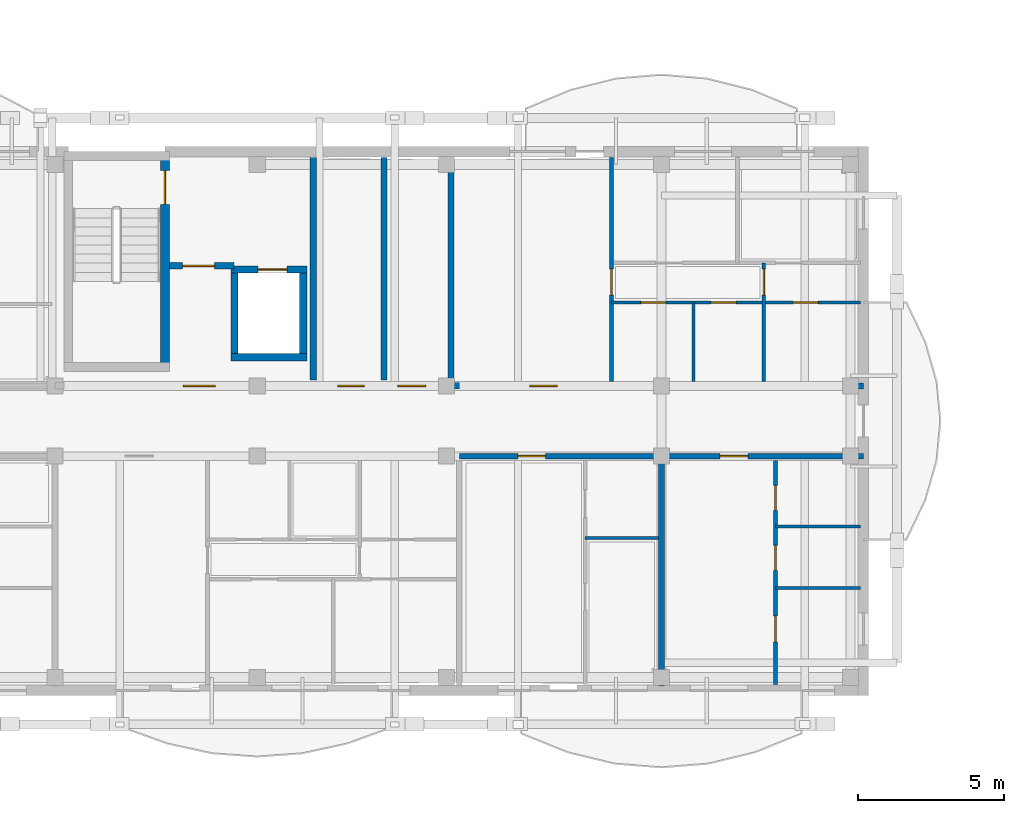
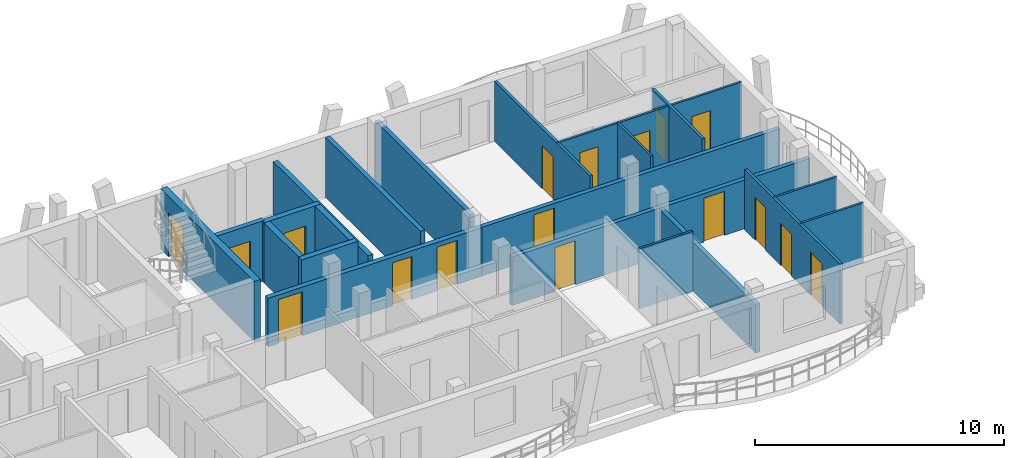
# One storey, part 20 of 50: 22 walls, 17 doors, 17 openings.
"""IFC4 building model written with IfcOpenShell, lengths in metres."""

import ifcopenshell
import ifcopenshell.guid

model = None  # the IFC model being written
_history = None  # IfcOwnerHistory: only IFC2X3 demands one
_inside = {}  # id of a spatial element -> (the spatial element, [elements in it])
_under = {}  # id of a project, library or spatial element -> (it, [spatial elements below it])
_declared = {}  # id of a project -> (the project, [libraries it declares])
_typed = {}  # id of a type object -> (the type object, [elements of that type])
_made_of = {}  # id of a material, layer set ... -> (it, [elements and type objects made of it])


def new_model(schema):
    """Start an empty IFC model of exactly this schema.

    Asked for "IFC4X3", IfcOpenShell would pick the latest addendum, in which some entities
    have other attributes; the version numbers below select the first issue.
    IFC2X3 requires an IfcOwnerHistory on every rooted entity: one is made here for all.
    """
    global model, _history
    if schema == "IFC4X3":
        model = ifcopenshell.file(schema_version=(4, 3, 0, 0))
    else:
        model = ifcopenshell.file(schema=schema)
    _inside.clear()
    _under.clear()
    _declared.clear()
    _typed.clear()
    _made_of.clear()
    _history = None
    if model.schema == "IFC2X3":
        org = make("IfcOrganization", Name="unknown")
        user = make(
            "IfcPersonAndOrganization",
            ThePerson=make("IfcPerson", FamilyName="unknown"),
            TheOrganization=org,
        )
        app = make(
            "IfcApplication",
            ApplicationDeveloper=org,
            Version="unknown",
            ApplicationFullName="unknown",
            ApplicationIdentifier="unknown",
        )
        _history = make(
            "IfcOwnerHistory",
            OwningUser=user,
            OwningApplication=app,
            ChangeAction="ADDED",
            CreationDate=0,
        )
    return model


def make(cls, **values):
    """One entity of the class cls with the attributes given. An attribute that is None is left unset."""
    return model.create_entity(
        cls, **{name: value for name, value in values.items() if value is not None}
    )


def rooted(cls, **values):
    """An entity with a GlobalId (a new one), such as an element, a storey or a relation."""
    return make(cls, GlobalId=ifcopenshell.guid.new(), OwnerHistory=_history, **values)


def si_unit(unit_type, name, prefix=None):
    """IfcSIUnit, for example si_unit("LENGTHUNIT", "METRE", prefix="MILLI")."""
    return make("IfcSIUnit", UnitType=unit_type, Prefix=prefix, Name=name)


def assignment(units):
    """IfcUnitAssignment: the units of a project."""
    return None if units is None else make("IfcUnitAssignment", Units=units)


def point(xyz):
    """IfcCartesianPoint."""
    return None if xyz is None else make("IfcCartesianPoint", Coordinates=xyz)


def direction(xyz):
    """IfcDirection."""
    return None if xyz is None else make("IfcDirection", DirectionRatios=xyz)


def frame(location, z_axis=None, x_axis=None):
    """IfcAxis2Placement3D, a coordinate frame: its origin and axes. An axis left out is left unset."""
    return make(
        "IfcAxis2Placement3D",
        Location=point(location),
        Axis=direction(z_axis),
        RefDirection=direction(x_axis),
    )


def frame_2d(location, x_axis=None):
    """IfcAxis2Placement2D, a coordinate frame in the plane: its origin and x axis."""
    return make(
        "IfcAxis2Placement2D", Location=point(location), RefDirection=direction(x_axis)
    )


def origin():
    """The frame at (0, 0, 0) with its axes left unset."""
    return frame((0.0, 0.0, 0.0))


def origin_with_axes():
    """The frame at (0, 0, 0) with the z axis (0, 0, 1) and the x axis (1, 0, 0) written out."""
    return frame((0.0, 0.0, 0.0), z_axis=(0.0, 0.0, 1.0), x_axis=(1.0, 0.0, 0.0))


def place(relative_to, where):
    """IfcLocalPlacement: puts the frame where relative to a parent placement (None: the world)."""
    return make(
        "IfcLocalPlacement", PlacementRelTo=relative_to, RelativePlacement=where
    )


def context(
    kind, dimensions, precision=None, world=None, true_north=None, identifier=None
):
    """IfcGeometricRepresentationContext, for example the 3D "Model" context."""
    return make(
        "IfcGeometricRepresentationContext",
        ContextIdentifier=identifier,
        ContextType=kind,
        CoordinateSpaceDimension=dimensions,
        Precision=precision,
        WorldCoordinateSystem=world,
        TrueNorth=true_north,
    )


def subcontext(parent, identifier, kind, view, scale=None):
    """IfcGeometricRepresentationSubContext, for example "Body" below "Model"."""
    return make(
        "IfcGeometricRepresentationSubContext",
        ContextIdentifier=identifier,
        ContextType=kind,
        ParentContext=parent,
        TargetScale=scale,
        TargetView=view,
    )


def project(units=None, contexts=None):
    """IfcProject with its units and contexts."""
    return rooted(
        "IfcProject",
        Name="project",
        RepresentationContexts=contexts,
        UnitsInContext=assignment(units),
    )


def spatial(cls, under=None, at=None, **own):
    """A site, building, storey or space (cls), placed at a placement, below another one or the project."""
    s = rooted(cls, ObjectPlacement=at, **own)
    if under is not None:
        _under.setdefault(under.id(), (under, []))[1].append(s)
    return s


def profile(cls, at=None, kind="AREA", **sizes):
    """A parametric profile (cls). Its sizes go by their IFC names, for example OverallWidth=200.0."""
    return make(cls, ProfileType=kind, Position=at, **sizes)


def rectangle(**sizes):
    """IfcRectangleProfileDef."""
    return profile("IfcRectangleProfileDef", **sizes)


def extrude(swept, where, along, depth):
    """IfcExtrudedAreaSolid: the profile swept, set in the frame where, extruded along a direction by depth."""
    return make(
        "IfcExtrudedAreaSolid",
        SweptArea=swept,
        Position=where,
        ExtrudedDirection=direction(along),
        Depth=depth,
    )


def shape(context_of_items, identifier, shape_type, items):
    """IfcShapeRepresentation: the items that make up one representation, for example the "Body"."""
    return make(
        "IfcShapeRepresentation",
        ContextOfItems=context_of_items,
        RepresentationIdentifier=identifier,
        RepresentationType=shape_type,
        Items=items,
    )


def material(Name=None, Category=None):
    """IfcMaterial."""
    return make("IfcMaterial", Name=Name, Category=Category)


def layer(
    of_material, thickness, ventilated=None, Name=None, Category=None, Priority=None
):
    """IfcMaterialLayer: one layer of a wall or slab, of a material (None: an air gap)."""
    return make(
        "IfcMaterialLayer",
        Material=of_material,
        LayerThickness=thickness,
        IsVentilated=ventilated,
        Name=Name,
        Category=Category,
        Priority=Priority,
    )


def layer_set(layers, Name=None):
    """IfcMaterialLayerSet."""
    return make("IfcMaterialLayerSet", MaterialLayers=layers, LayerSetName=Name)


def made_of(thing, what):
    """Note that an element or type object is made of a material, layer set ...; save() writes the relation."""
    if what is not None:
        _made_of.setdefault(what.id(), (what, []))[1].append(thing)
    return thing


def type_object(cls, material=None, **own):
    """A type object (cls), such as IfcWallType, which elements share."""
    return made_of(rooted(cls, **own), material)


def element(
    cls,
    number,
    at=None,
    inside=None,
    cuts=None,
    type_object=None,
    material=None,
    context=None,
    identifier="Body",
    shape_type=None,
    held_by="IfcProductDefinitionShape",
    body=None,
    shapes=None,
    **own,
):
    """One element of the class cls, such as IfcWall. Its Tag is "e" and its number.

    at: its placement. inside: the storey or other place that contains it. cuts: it is an
    opening in that element (IfcRelVoidsElement). A single representation is given by context,
    identifier, shape_type and body (its items); several are given by shapes. held_by: the class
    of the entity that holds the representations. save() writes the other relations.
    """
    e = rooted(cls, Tag="e%d" % number, ObjectPlacement=at, **own)
    if body is not None:
        shapes = [shape(context, identifier, shape_type, body)]
    if shapes is not None:
        e.Representation = make(held_by, Representations=shapes)
    if inside is not None:
        _inside.setdefault(inside.id(), (inside, []))[1].append(e)
    if cuts is not None:
        rooted(
            "IfcRelVoidsElement", RelatingBuildingElement=cuts, RelatedOpeningElement=e
        )
    if type_object is not None:
        _typed.setdefault(type_object.id(), (type_object, []))[1].append(e)
    return made_of(e, material)


def fill(opening, filler):
    """IfcRelFillsElement: the door or window that sits in an opening."""
    return rooted(
        "IfcRelFillsElement",
        RelatingOpeningElement=opening,
        RelatedBuildingElement=filler,
    )


def aggregate(whole, parts):
    """IfcRelAggregates: a whole, such as a stair, and the parts it consists of."""
    return rooted("IfcRelAggregates", RelatingObject=whole, RelatedObjects=parts)


def save(model, path):
    """Write the relations noted so far, then the file.

    IfcRelAggregates (storeys below a building ...), IfcRelContainedInSpatialStructure (elements
    in a storey), IfcRelDefinesByType, IfcRelAssociatesMaterial and IfcRelDeclares: one each for
    every whole, place, type object, material and project.
    """
    for whole, parts in _under.values():
        aggregate(whole, parts)
    for where, things in _inside.values():
        rooted(
            "IfcRelContainedInSpatialStructure",
            RelatedElements=things,
            RelatingStructure=where,
        )
    for kind, things in _typed.values():
        rooted("IfcRelDefinesByType", RelatedObjects=things, RelatingType=kind)
    for what, things in _made_of.values():
        rooted("IfcRelAssociatesMaterial", RelatedObjects=things, RelatingMaterial=what)
    for by, libraries in _declared.values():
        rooted("IfcRelDeclares", RelatingContext=by, RelatedDefinitions=libraries)
    model.write(path)


model = new_model("IFC4")

# Units and contexts
model_context = context("Model", 3, precision=1e-05, world=origin(), true_north=direction((0.0, 1.0)))
body_context = subcontext(model_context, "Body", "Model", "MODEL_VIEW")
ifc_project = project(units=[si_unit("LENGTHUNIT", "METRE"), si_unit("AREAUNIT", "SQUARE_METRE"), si_unit("VOLUMEUNIT", "CUBIC_METRE"), si_unit("PLANEANGLEUNIT", "RADIAN"), si_unit("MASSUNIT", "GRAM", prefix="KILO")], contexts=[model_context])

# Site, building, storey
site_placement = place(None, origin())
site = spatial("IfcSite", under=ifc_project, at=site_placement, CompositionType="ELEMENT")
building_placement = place(site_placement, origin())
building = spatial("IfcBuilding", under=site, at=building_placement, Name="Zavelmont Quarter", CompositionType="ELEMENT")
storey_placement = place(building_placement, frame((0.0, 0.0, 11.199951171875)))
storey = spatial("IfcBuildingStorey", under=building, at=storey_placement, Name="L03", CompositionType="ELEMENT", Elevation=11.199951171875)

# Walls
ifc_material_1 = material(Name="Calcium-silicate blockwork and acoustic plaster", Category="masonry")
ifc_layer_1 = layer(ifc_material_1, 0.199951171875)
ifc_layer_set_1 = layer_set([ifc_layer_1], Name="Calcium-silicate blockwork and acoustic plaster")
wall_type_1 = type_object("IfcWallType", Name="IW01", PredefinedType="PARTITIONING", material=ifc_layer_set_1)
for number, where, z_axis, x_axis, name in (
    (1, (38.824951171875, 10.60009765625, 0.0), (0.0, 0.0, 1.0), (0.0, 1.0, 0.0), "L03 Service riser divider wall IW01"),
    (2, (41.1201171875, 10.60009765625, 0.0), (0.0, 0.0, 1.0), (0.0, 1.0, 0.0), "L03 Core service end wall IW01"),
):
    element("IfcWall", number, at=place(storey_placement, frame(where, z_axis=z_axis, x_axis=x_axis)), inside=storey, type_object=wall_type_1, Name=name, PredefinedType="PARTITIONING", context=body_context, shape_type="SweptSolid", body=[
        extrude(rectangle(XDim=7.599853515625, YDim=0.199951171875, at=frame_2d((3.7998046875, 0.0))), origin(), (0.0, 0.0, 1.0), 2.93994140625),
    ])
wall_1_placement = place(storey_placement, frame((48.300048828125, 7.85009765625, 0.0), z_axis=(0.0, 0.0, 1.0), x_axis=(0.0, -1.0, 0.0)))
element("IfcWall", 3, at=wall_1_placement, inside=storey, type_object=wall_type_1, Name="L03 Inter-dwelling compartment wall IW01", PredefinedType="PARTITIONING", context=body_context, shape_type="SweptSolid", body=[
    extrude(rectangle(XDim=7.7001953125, YDim=0.199951171875, at=frame_2d((3.85009765625, 0.0))), origin(), (0.0, 0.0, 1.0), 2.380126953125),
])

# Wall, opening, door
wall_2_placement = place(storey_placement, frame((41.39990234375, 8.0, 0.0), z_axis=(0.0, 0.0, 1.0), x_axis=(1.0, 0.0, 0.0)))
wall_2 = element("IfcWall", 4, at=wall_2_placement, inside=storey, type_object=wall_type_1, Name="L03 Corridor compartment wall IW01", PredefinedType="PARTITIONING", context=body_context, shape_type="SweptSolid", body=[
    extrude(rectangle(XDim=6.900146484375, YDim=0.199951171875, at=frame_2d((3.4501953125, 0.0))), origin(), (0.0, 0.0, 1.0), 2.380126953125),
])
opening_1_placement = place(wall_2_placement, frame((2.0, 0.0, 0.0)))
opening_1 = element("IfcOpeningElement", 5, at=opening_1_placement, cuts=wall_2, Name="Opening DR02", PredefinedType="OPENING", context=body_context, shape_type="SweptSolid", body=[
    extrude(rectangle(XDim=0.949951171875, YDim=2.14990234375, at=frame_2d((0.47509765625, 1.074951171875))), frame((0.0, 0.11181640625, 0.0), z_axis=(0.0, -1.0, 0.0), x_axis=(1.0, 0.0, 0.0)), (0.0, 0.0, 1.0), 0.223876953125),
])
ifc_material_2 = material(Name="Solid-core oak fire leaf in steel frame", Category="steel")
door_type_1 = type_object("IfcDoorType", Name="DR02", OperationType="NOTDEFINED", PredefinedType="DOOR", material=ifc_material_2)
door_1_placement = place(opening_1_placement, frame((0.949951171875, 0.0, 0.0), z_axis=(0.0, 0.0, 1.0), x_axis=(-1.0, 0.0, 0.0)))
door_1 = element("IfcDoor", 6, at=door_1_placement, inside=storey, type_object=door_type_1, Name="L03 door DR02", OperationType="SINGLE_SWING_LEFT", OverallHeight=2.14990234375, OverallWidth=0.949951171875, PredefinedType="DOOR", context=body_context, shape_type="SweptSolid", body=[
    extrude(rectangle(XDim=0.949951171875, YDim=2.14990234375, at=frame_2d((0.47509765625, 1.074951171875))), frame((0.0, 0.02490234375, 0.0), z_axis=(0.0, -1.0, 0.0), x_axis=(1.0, 0.0, 0.0)), (0.0, 0.0, 1.0), 0.050048828125),
])
fill(opening_1, door_1)

wall_3_placement = place(storey_placement, frame((48.300048828125, 8.0, 0.0), z_axis=(0.0, 0.0, 1.0), x_axis=(1.0, 0.0, 0.0)))
wall_3 = element("IfcWall", 7, at=wall_3_placement, inside=storey, type_object=wall_type_1, Name="L03 Corridor compartment wall IW01", PredefinedType="PARTITIONING", context=body_context, shape_type="SweptSolid", body=[
    extrude(rectangle(XDim=6.89990234375, YDim=0.199951171875, at=frame_2d((3.449951171875, 0.0))), origin(), (0.0, 0.0, 1.0), 2.380126953125),
])
opening_2_placement = place(wall_3_placement, frame((2.0, 0.0, 0.0)))
opening_2 = element("IfcOpeningElement", 8, at=opening_2_placement, cuts=wall_3, Name="Opening DR02", PredefinedType="OPENING", context=body_context, shape_type="SweptSolid", body=[
    extrude(rectangle(XDim=0.949951171875, YDim=2.14990234375, at=frame_2d((0.47509765625, 1.074951171875))), frame((0.0, 0.11181640625, 0.0), z_axis=(0.0, -1.0, 0.0), x_axis=(1.0, 0.0, 0.0)), (0.0, 0.0, 1.0), 0.223876953125),
])
door_2_placement = place(opening_2_placement, frame((0.949951171875, 0.0, 0.0), z_axis=(0.0, 0.0, 1.0), x_axis=(-1.0, 0.0, 0.0)))
door_2 = element("IfcDoor", 9, at=door_2_placement, inside=storey, type_object=door_type_1, Name="L03 door DR02", OperationType="SINGLE_SWING_LEFT", OverallHeight=2.14990234375, OverallWidth=0.949951171875, PredefinedType="DOOR", context=body_context, shape_type="SweptSolid", body=[
    extrude(rectangle(XDim=0.949951171875, YDim=2.14990234375, at=frame_2d((0.47509765625, 1.074951171875))), frame((0.0, 0.02490234375, 0.0), z_axis=(0.0, -1.0, 0.0), x_axis=(1.0, 0.0, 0.0)), (0.0, 0.0, 1.0), 0.050048828125),
])
fill(opening_2, door_2)

wall_4_placement = place(storey_placement, frame((41.39990234375, 10.39990234375, 0.0), z_axis=(0.0, 0.0, 1.0), x_axis=(1.0, 0.0, 0.0)))
wall_4 = element("IfcWall", 10, at=wall_4_placement, inside=storey, type_object=wall_type_1, Name="L03 Corridor compartment wall IW01", PredefinedType="PARTITIONING", context=body_context, shape_type="SweptSolid", body=[
    extrude(rectangle(XDim=13.800048828125, YDim=0.199951171875, at=frame_2d((6.89990234375, 0.0))), origin(), (0.0, 0.0, 1.0), 2.380126953125),
])
opening_3_placement = place(wall_4_placement, frame((2.39990234375, 0.0, 0.0)))
opening_3 = element("IfcOpeningElement", 11, at=opening_3_placement, cuts=wall_4, Name="Opening DR02", PredefinedType="OPENING", context=body_context, shape_type="SweptSolid", body=[
    extrude(rectangle(XDim=0.949951171875, YDim=2.14990234375, at=frame_2d((0.47509765625, 1.074951171875))), frame((0.0, 0.11181640625, 0.0), z_axis=(0.0, -1.0, 0.0), x_axis=(1.0, 0.0, 0.0)), (0.0, 0.0, 1.0), 0.223876953125),
])
door_3_placement = place(opening_3_placement, origin_with_axes())
door_3 = element("IfcDoor", 12, at=door_3_placement, inside=storey, type_object=door_type_1, Name="L03 door DR02", OperationType="SINGLE_SWING_RIGHT", OverallHeight=2.14990234375, OverallWidth=0.949951171875, PredefinedType="DOOR", context=body_context, shape_type="SweptSolid", body=[
    extrude(rectangle(XDim=0.949951171875, YDim=2.14990234375, at=frame_2d((0.47509765625, 1.074951171875))), frame((0.0, 0.02490234375, 0.0), z_axis=(0.0, -1.0, 0.0), x_axis=(1.0, 0.0, 0.0)), (0.0, 0.0, 1.0), 0.050048828125),
])
fill(opening_3, door_3)

# Wall
ifc_material_3 = material(Name="Reinforced masonry fire compartment wall", Category="masonry")
ifc_layer_2 = layer(ifc_material_3, 0.22509765625)
ifc_layer_set_2 = layer_set([ifc_layer_2], Name="Reinforced masonry fire compartment wall")
wall_type_2 = type_object("IfcWallType", Name="IW02", PredefinedType="PARTITIONING", material=ifc_layer_set_2)
wall_5_placement = place(storey_placement, frame((36.409912109375, 10.60009765625, 0.0), z_axis=(0.0, 0.0, 1.0), x_axis=(0.0, 1.0, 0.0)))
element("IfcWall", 13, at=wall_5_placement, inside=storey, type_object=wall_type_2, Name="L03 Firefighting lobby enclosure wall IW02", PredefinedType="PARTITIONING", context=body_context, shape_type="SweptSolid", body=[
    extrude(rectangle(XDim=7.599853515625, YDim=0.22509765625, at=frame_2d((3.7998046875, 0.0))), origin(), (0.0, 0.0, 1.0), 2.590087890625),
])

# Wall, opening, door
wall_6_placement = place(storey_placement, frame((31.5, 14.5, 0.0), z_axis=(0.0, 0.0, 1.0), x_axis=(1.0, 0.0, 0.0)))
wall_6 = element("IfcWall", 14, at=wall_6_placement, inside=storey, type_object=wall_type_2, Name="L03 Firefighting lobby threshold wall IW02", PredefinedType="PARTITIONING", context=body_context, shape_type="SweptSolid", body=[
    extrude(rectangle(XDim=2.199951171875, YDim=0.22509765625, at=frame_2d((1.10009765625, 0.0))), origin(), (0.0, 0.0, 1.0), 2.93994140625),
])
opening_4_placement = place(wall_6_placement, frame((0.449951171875, 0.0, 0.0)))
opening_4 = element("IfcOpeningElement", 15, at=opening_4_placement, cuts=wall_6, Name="Opening DR10", PredefinedType="OPENING", context=body_context, shape_type="SweptSolid", body=[
    extrude(rectangle(XDim=1.10009765625, YDim=2.14990234375, at=frame_2d((0.550048828125, 1.074951171875))), frame((0.0, 0.12451171875, 0.0), z_axis=(0.0, -1.0, 0.0), x_axis=(1.0, 0.0, 0.0)), (0.0, 0.0, 1.0), 0.2490234375),
])
ifc_material_4 = material(Name="Painted steel lobby fire door", Category="steel")
door_type_2 = type_object("IfcDoorType", Name="DR10", OperationType="NOTDEFINED", PredefinedType="DOOR", material=ifc_material_4)
door_4_placement = place(opening_4_placement, origin_with_axes())
door_4 = element("IfcDoor", 16, at=door_4_placement, inside=storey, type_object=door_type_2, Name="Firefighting lobby fire door", OperationType="SINGLE_SWING_RIGHT", OverallHeight=2.14990234375, OverallWidth=1.10009765625, PredefinedType="DOOR", context=body_context, shape_type="SweptSolid", body=[
    extrude(rectangle(XDim=1.10009765625, YDim=2.14990234375, at=frame_2d((0.550048828125, 1.074951171875))), frame((0.0, 0.02490234375, 0.0), z_axis=(0.0, -1.0, 0.0), x_axis=(1.0, 0.0, 0.0)), (0.0, 0.0, 1.0), 0.050048828125),
])
fill(opening_4, door_4)

# Wall, openings, doors
wall_7_placement = place(storey_placement, frame((31.5, 10.39990234375, 0.0), z_axis=(0.0, 0.0, 1.0), x_axis=(1.0, 0.0, 0.0)))
wall_7 = element("IfcWall", 17, at=wall_7_placement, inside=storey, type_object=wall_type_2, Name="L03 Core corridor fire wall IW02", PredefinedType="PARTITIONING", context=body_context, shape_type="SweptSolid", body=[
    extrude(rectangle(XDim=9.89990234375, YDim=0.22509765625, at=frame_2d((4.949951171875, 0.0))), origin(), (0.0, 0.0, 1.0), 2.380126953125),
])
opening_5_placement = place(wall_7_placement, frame((0.47509765625, 0.0, 0.0)))
opening_5 = element("IfcOpeningElement", 18, at=opening_5_placement, cuts=wall_7, Name="Opening DR10", PredefinedType="OPENING", context=body_context, shape_type="SweptSolid", body=[
    extrude(rectangle(XDim=1.10009765625, YDim=2.14990234375, at=frame_2d((0.550048828125, 1.074951171875))), frame((0.0, 0.12451171875, 0.0), z_axis=(0.0, -1.0, 0.0), x_axis=(1.0, 0.0, 0.0)), (0.0, 0.0, 1.0), 0.2490234375),
])
opening_6_placement = place(wall_7_placement, frame((5.75, 0.0, 0.0)))
opening_6 = element("IfcOpeningElement", 19, at=opening_6_placement, cuts=wall_7, Name="Opening DR11", PredefinedType="OPENING", context=body_context, shape_type="SweptSolid", body=[
    extrude(rectangle(XDim=0.89990234375, YDim=2.10009765625, at=frame_2d((0.449951171875, 1.050048828125))), frame((0.0, 0.12451171875, 0.0), z_axis=(0.0, -1.0, 0.0), x_axis=(1.0, 0.0, 0.0)), (0.0, 0.0, 1.0), 0.2490234375),
])
opening_7_placement = place(wall_7_placement, frame((7.800048828125, 0.0, 0.0)))
opening_7 = element("IfcOpeningElement", 20, at=opening_7_placement, cuts=wall_7, Name="Opening DR02", PredefinedType="OPENING", context=body_context, shape_type="SweptSolid", body=[
    extrude(rectangle(XDim=0.949951171875, YDim=2.14990234375, at=frame_2d((0.47509765625, 1.074951171875))), frame((0.0, 0.12451171875, 0.0), z_axis=(0.0, -1.0, 0.0), x_axis=(1.0, 0.0, 0.0)), (0.0, 0.0, 1.0), 0.2490234375),
])
door_5_placement = place(opening_7_placement, frame((0.949951171875, 0.0, 0.0), z_axis=(0.0, 0.0, 1.0), x_axis=(-1.0, 0.0, 0.0)))
door_5 = element("IfcDoor", 21, at=door_5_placement, inside=storey, type_object=door_type_1, Name="Auxiliary store corridor door", OperationType="SINGLE_SWING_RIGHT", OverallHeight=2.14990234375, OverallWidth=0.949951171875, PredefinedType="DOOR", context=body_context, shape_type="SweptSolid", body=[
    extrude(rectangle(XDim=0.949951171875, YDim=2.14990234375, at=frame_2d((0.47509765625, 1.074951171875))), frame((0.0, 0.02490234375, 0.0), z_axis=(0.0, -1.0, 0.0), x_axis=(1.0, 0.0, 0.0)), (0.0, 0.0, 1.0), 0.050048828125),
])
fill(opening_7, door_5)
door_6_placement = place(opening_5_placement, origin_with_axes())
door_6 = element("IfcDoor", 22, at=door_6_placement, inside=storey, type_object=door_type_2, Name="Core vestibule fire door", OperationType="SINGLE_SWING_LEFT", OverallHeight=2.14990234375, OverallWidth=1.10009765625, PredefinedType="DOOR", context=body_context, shape_type="SweptSolid", body=[
    extrude(rectangle(XDim=1.10009765625, YDim=2.14990234375, at=frame_2d((0.550048828125, 1.074951171875))), frame((0.0, 0.02490234375, 0.0), z_axis=(0.0, -1.0, 0.0), x_axis=(1.0, 0.0, 0.0)), (0.0, 0.0, 1.0), 0.050048828125),
])
fill(opening_5, door_6)
ifc_material_5 = material(Name="Painted steel service-riser fire door", Category="steel")
door_type_3 = type_object("IfcDoorType", Name="DR11", OperationType="NOTDEFINED", PredefinedType="DOOR", material=ifc_material_5)
door_7_placement = place(opening_6_placement, frame((0.89990234375, 0.0, 0.0), z_axis=(0.0, 0.0, 1.0), x_axis=(-1.0, 0.0, 0.0)))
door_7 = element("IfcDoor", 23, at=door_7_placement, inside=storey, type_object=door_type_3, Name="Service riser fire door", OperationType="SINGLE_SWING_LEFT", OverallHeight=2.10009765625, OverallWidth=0.89990234375, PredefinedType="DOOR", context=body_context, shape_type="SweptSolid", body=[
    extrude(rectangle(XDim=0.89990234375, YDim=2.10009765625, at=frame_2d((0.449951171875, 1.050048828125))), frame((0.0, 0.02490234375, 0.0), z_axis=(0.0, -1.0, 0.0), x_axis=(1.0, 0.0, 0.0)), (0.0, 0.0, 1.0), 0.050048828125),
])
fill(opening_6, door_7)

ifc_material_6 = material(Name="Double gypsum board on acoustic steel stud", Category="steel")
ifc_layer_3 = layer(ifc_material_6, 0.125)
ifc_layer_set_3 = layer_set([ifc_layer_3], Name="Double gypsum board on acoustic steel stud")
wall_type_3 = type_object("IfcWallType", Name="IW03", PredefinedType="PARTITIONING", material=ifc_layer_set_3)
wall_8_placement = place(storey_placement, frame((52.199951171875, 7.85009765625, 0.0), z_axis=(0.0, 0.0, 1.0), x_axis=(0.0, -1.0, 0.0)))
wall_8 = element("IfcWall", 24, at=wall_8_placement, inside=storey, type_object=wall_type_3, Name="L03 Partition IW03", PredefinedType="PARTITIONING", context=body_context, shape_type="SweptSolid", body=[
    extrude(rectangle(XDim=7.650146484375, YDim=0.125, at=frame_2d((3.8251953125, 0.0))), origin(), (0.0, 0.0, 1.0), 2.93994140625),
])
opening_8_placement = place(wall_8_placement, frame((0.85009765625, 0.0, 0.0)))
opening_8 = element("IfcOpeningElement", 25, at=opening_8_placement, cuts=wall_8, Name="Opening DR16", PredefinedType="OPENING", context=body_context, shape_type="SweptSolid", body=[
    extrude(rectangle(XDim=0.85009765625, YDim=2.10009765625, at=frame_2d((0.425048828125, 1.050048828125))), frame((0.0, 0.074462890625, 0.0), z_axis=(0.0, -1.0, 0.0), x_axis=(1.0, 0.0, 0.0)), (0.0, 0.0, 1.0), 0.14892578125),
])
opening_9_placement = place(wall_8_placement, frame((2.89990234375, 0.0, 0.0)))
opening_9 = element("IfcOpeningElement", 26, at=opening_9_placement, cuts=wall_8, Name="Opening DR06", PredefinedType="OPENING", context=body_context, shape_type="SweptSolid", body=[
    extrude(rectangle(XDim=0.85009765625, YDim=2.050048828125, at=frame_2d((0.425048828125, 1.02490234375))), frame((0.0, 0.074462890625, 0.0), z_axis=(0.0, -1.0, 0.0), x_axis=(1.0, 0.0, 0.0)), (0.0, 0.0, 1.0), 0.14892578125),
])
opening_10_placement = place(wall_8_placement, frame((5.300048828125, 0.0, 0.0)))
opening_10 = element("IfcOpeningElement", 27, at=opening_10_placement, cuts=wall_8, Name="Opening DR05", PredefinedType="OPENING", context=body_context, shape_type="SweptSolid", body=[
    extrude(rectangle(XDim=0.89990234375, YDim=2.10009765625, at=frame_2d((0.449951171875, 1.050048828125))), frame((0.0, 0.074462890625, 0.0), z_axis=(0.0, -1.0, 0.0), x_axis=(1.0, 0.0, 0.0)), (0.0, 0.0, 1.0), 0.14892578125),
])
ifc_material_7 = material(Name="Engineered oak flush interior door")
door_type_4 = type_object("IfcDoorType", Name="DR05", OperationType="NOTDEFINED", PredefinedType="DOOR", material=ifc_material_7)
door_8_placement = place(opening_10_placement, origin_with_axes())
door_8 = element("IfcDoor", 28, at=door_8_placement, inside=storey, type_object=door_type_4, Name="L03 door DR05", OperationType="SINGLE_SWING_LEFT", OverallHeight=2.10009765625, OverallWidth=0.89990234375, PredefinedType="DOOR", context=body_context, shape_type="SweptSolid", body=[
    extrude(rectangle(XDim=0.89990234375, YDim=2.10009765625, at=frame_2d((0.449951171875, 1.050048828125))), frame((0.0, 0.02490234375, 0.0), z_axis=(0.0, -1.0, 0.0), x_axis=(1.0, 0.0, 0.0)), (0.0, 0.0, 1.0), 0.050048828125),
])
fill(opening_10, door_8)
ifc_material_8 = material(Name="Moisture-resistant painted wet-room door")
door_type_5 = type_object("IfcDoorType", Name="DR06", OperationType="NOTDEFINED", PredefinedType="DOOR", material=ifc_material_8)
door_9_placement = place(opening_9_placement, frame((0.85009765625, 0.0, 0.0), z_axis=(0.0, 0.0, 1.0), x_axis=(-1.0, 0.0, 0.0)))
door_9 = element("IfcDoor", 29, at=door_9_placement, inside=storey, type_object=door_type_5, Name="L03 door DR06", OperationType="SINGLE_SWING_RIGHT", OverallHeight=2.050048828125, OverallWidth=0.85009765625, PredefinedType="DOOR", context=body_context, shape_type="SweptSolid", body=[
    extrude(rectangle(XDim=0.85009765625, YDim=2.050048828125, at=frame_2d((0.425048828125, 1.02490234375))), frame((0.0, 0.02490234375, 0.0), z_axis=(0.0, -1.0, 0.0), x_axis=(1.0, 0.0, 0.0)), (0.0, 0.0, 1.0), 0.050048828125),
])
fill(opening_9, door_9)
door_type_6 = type_object("IfcDoorType", Name="DR16", OperationType="NOTDEFINED", PredefinedType="DOOR", material=ifc_material_7)
door_10_placement = place(opening_8_placement, origin_with_axes())
door_10 = element("IfcDoor", 30, at=door_10_placement, inside=storey, type_object=door_type_6, Name="L03 door DR16", OperationType="SINGLE_SWING_LEFT", OverallHeight=2.10009765625, OverallWidth=0.85009765625, PredefinedType="DOOR", context=body_context, shape_type="SweptSolid", body=[
    extrude(rectangle(XDim=0.85009765625, YDim=2.10009765625, at=frame_2d((0.425048828125, 1.050048828125))), frame((0.0, 0.02490234375, 0.0), z_axis=(0.0, -1.0, 0.0), x_axis=(1.0, 0.0, 0.0)), (0.0, 0.0, 1.0), 0.050048828125),
])
fill(opening_8, door_10)

# Wall, opening, door
wall_9_placement = place(storey_placement, frame((46.60009765625, 10.550048828125, 0.0), z_axis=(0.0, 0.0, 1.0), x_axis=(0.0, 1.0, 0.0)))
wall_9 = element("IfcWall", 31, at=wall_9_placement, inside=storey, type_object=wall_type_3, Name="L03 Partition IW03", PredefinedType="PARTITIONING", context=body_context, shape_type="SweptSolid", body=[
    extrude(rectangle(XDim=7.64990234375, YDim=0.125, at=frame_2d((3.824951171875, 0.0))), origin(), (0.0, 0.0, 1.0), 2.93994140625),
])
opening_11_placement = place(wall_9_placement, frame((2.949951171875, 0.0, 0.0)))
opening_11 = element("IfcOpeningElement", 32, at=opening_11_placement, cuts=wall_9, Name="Opening DR05", PredefinedType="OPENING", context=body_context, shape_type="SweptSolid", body=[
    extrude(rectangle(XDim=0.89990234375, YDim=2.10009765625, at=frame_2d((0.449951171875, 1.050048828125))), frame((0.0, 0.074462890625, 0.0), z_axis=(0.0, -1.0, 0.0), x_axis=(1.0, 0.0, 0.0)), (0.0, 0.0, 1.0), 0.14892578125),
])
door_11_placement = place(opening_11_placement, frame((0.89990234375, 0.0, 0.0), z_axis=(0.0, 0.0, 1.0), x_axis=(-1.0, 0.0, 0.0)))
door_11 = element("IfcDoor", 33, at=door_11_placement, inside=storey, type_object=door_type_4, Name="L03 door DR05", OperationType="SINGLE_SWING_RIGHT", OverallHeight=2.10009765625, OverallWidth=0.89990234375, PredefinedType="DOOR", context=body_context, shape_type="SweptSolid", body=[
    extrude(rectangle(XDim=0.89990234375, YDim=2.10009765625, at=frame_2d((0.449951171875, 1.050048828125))), frame((0.0, 0.02490234375, 0.0), z_axis=(0.0, -1.0, 0.0), x_axis=(1.0, 0.0, 0.0)), (0.0, 0.0, 1.0), 0.050048828125),
])
fill(opening_11, door_11)

wall_10_placement = place(storey_placement, frame((51.800048828125, 10.550048828125, 0.0), z_axis=(0.0, 0.0, 1.0), x_axis=(0.0, 1.0, 0.0)))
wall_10 = element("IfcWall", 34, at=wall_10_placement, inside=storey, type_object=wall_type_3, Name="L03 Partition IW03", PredefinedType="PARTITIONING", context=body_context, shape_type="SweptSolid", body=[
    extrude(rectangle(XDim=4.050048828125, YDim=0.125, at=frame_2d((2.02490234375, 0.0))), origin(), (0.0, 0.0, 1.0), 2.93994140625),
])
opening_12_placement = place(wall_10_placement, frame((2.949951171875, 0.0, 0.0)))
opening_12 = element("IfcOpeningElement", 35, at=opening_12_placement, cuts=wall_10, Name="Opening DR05", PredefinedType="OPENING", context=body_context, shape_type="SweptSolid", body=[
    extrude(rectangle(XDim=0.89990234375, YDim=2.10009765625, at=frame_2d((0.449951171875, 1.050048828125))), frame((0.0, 0.074462890625, 0.0), z_axis=(0.0, -1.0, 0.0), x_axis=(1.0, 0.0, 0.0)), (0.0, 0.0, 1.0), 0.14892578125),
])
door_12_placement = place(opening_12_placement, origin_with_axes())
door_12 = element("IfcDoor", 36, at=door_12_placement, inside=storey, type_object=door_type_4, Name="L03 door DR05", OperationType="SINGLE_SWING_LEFT", OverallHeight=2.10009765625, OverallWidth=0.89990234375, PredefinedType="DOOR", context=body_context, shape_type="SweptSolid", body=[
    extrude(rectangle(XDim=0.89990234375, YDim=2.10009765625, at=frame_2d((0.449951171875, 1.050048828125))), frame((0.0, 0.02490234375, 0.0), z_axis=(0.0, -1.0, 0.0), x_axis=(1.0, 0.0, 0.0)), (0.0, 0.0, 1.0), 0.050048828125),
])
fill(opening_12, door_12)

# Walls
ifc_material_9 = material(Name="Moisture-resistant gypsum board on steel stud", Category="steel")
ifc_layer_4 = layer(ifc_material_9, 0.10009765625)
ifc_layer_set_4 = layer_set([ifc_layer_4], Name="Moisture-resistant gypsum board on steel stud")
wall_type_4 = type_object("IfcWallType", Name="IW04", PredefinedType="PARTITIONING", material=ifc_layer_set_4)
wall_11_placement = place(storey_placement, frame((45.699951171875, 5.199951171875, 0.0), z_axis=(0.0, 0.0, 1.0), x_axis=(1.0, 0.0, 0.0)))
element("IfcWall", 37, at=wall_11_placement, inside=storey, type_object=wall_type_4, Name="L03 Partition IW04", PredefinedType="PARTITIONING", context=body_context, shape_type="SweptSolid", body=[
    extrude(rectangle(XDim=2.5, YDim=0.10009765625, at=frame_2d((1.25, 0.0))), origin(), (0.0, 0.0, 1.0), 2.93994140625),
])
for number, where, z_axis, x_axis, name in (
    (38, (52.199951171875, 5.60009765625, 0.0), (0.0, 0.0, 1.0), (1.0, 0.0, 0.0), "L03 Partition IW04"),
    (39, (52.199951171875, 3.5, 0.0), (0.0, 0.0, 1.0), (1.0, 0.0, 0.0), "L03 Partition IW04"),
):
    element("IfcWall", number, at=place(storey_placement, frame(where, z_axis=z_axis, x_axis=x_axis)), inside=storey, type_object=wall_type_4, Name=name, PredefinedType="PARTITIONING", context=body_context, shape_type="SweptSolid", body=[
        extrude(rectangle(XDim=2.900146484375, YDim=0.10009765625, at=frame_2d((1.4501953125, 0.0))), origin(), (0.0, 0.0, 1.0), 2.93994140625),
    ])
wall_12_placement = place(storey_placement, frame((49.39990234375, 10.550048828125, 0.0), z_axis=(0.0, 0.0, 1.0), x_axis=(0.0, 1.0, 0.0)))
element("IfcWall", 40, at=wall_12_placement, inside=storey, type_object=wall_type_4, Name="L03 Partition IW04", PredefinedType="PARTITIONING", context=body_context, shape_type="SweptSolid", body=[
    extrude(rectangle(XDim=2.699951171875, YDim=0.10009765625, at=frame_2d((1.35009765625, 0.0))), origin(), (0.0, 0.0, 1.0), 2.93994140625),
])

# Wall, openings, doors
wall_13_placement = place(storey_placement, frame((46.60009765625, 13.25, 0.0), z_axis=(0.0, 0.0, 1.0), x_axis=(1.0, 0.0, 0.0)))
wall_13 = element("IfcWall", 41, at=wall_13_placement, inside=storey, type_object=wall_type_4, Name="L03 Partition IW04", PredefinedType="PARTITIONING", context=body_context, shape_type="SweptSolid", body=[
    extrude(rectangle(XDim=8.5, YDim=0.10009765625, at=frame_2d((4.25, 0.0))), origin(), (0.0, 0.0, 1.0), 2.93994140625),
])
opening_13_placement = place(wall_13_placement, frame((1.0, 0.0, 0.0)))
opening_13 = element("IfcOpeningElement", 42, at=opening_13_placement, cuts=wall_13, Name="Opening DR16", PredefinedType="OPENING", context=body_context, shape_type="SweptSolid", body=[
    extrude(rectangle(XDim=0.85009765625, YDim=2.10009765625, at=frame_2d((0.425048828125, 1.050048828125))), frame((0.0, 0.06201171875, 0.0), z_axis=(0.0, -1.0, 0.0), x_axis=(1.0, 0.0, 0.0)), (0.0, 0.0, 1.0), 0.1240234375),
])
opening_14_placement = place(wall_13_placement, frame((3.39990234375, 0.0, 0.0)))
opening_14 = element("IfcOpeningElement", 43, at=opening_14_placement, cuts=wall_13, Name="Opening DR06", PredefinedType="OPENING", context=body_context, shape_type="SweptSolid", body=[
    extrude(rectangle(XDim=0.85009765625, YDim=2.050048828125, at=frame_2d((0.425048828125, 1.02490234375))), frame((0.0, 0.06201171875, 0.0), z_axis=(0.0, -1.0, 0.0), x_axis=(1.0, 0.0, 0.0)), (0.0, 0.0, 1.0), 0.1240234375),
])
opening_15_placement = place(wall_13_placement, frame((6.199951171875, 0.0, 0.0)))
opening_15 = element("IfcOpeningElement", 44, at=opening_15_placement, cuts=wall_13, Name="Opening DR06", PredefinedType="OPENING", context=body_context, shape_type="SweptSolid", body=[
    extrude(rectangle(XDim=0.85009765625, YDim=2.050048828125, at=frame_2d((0.425048828125, 1.02490234375))), frame((0.0, 0.06201171875, 0.0), z_axis=(0.0, -1.0, 0.0), x_axis=(1.0, 0.0, 0.0)), (0.0, 0.0, 1.0), 0.1240234375),
])
door_13_placement = place(opening_14_placement, origin_with_axes())
door_13 = element("IfcDoor", 45, at=door_13_placement, inside=storey, type_object=door_type_5, Name="L03 door DR06", OperationType="SINGLE_SWING_LEFT", OverallHeight=2.050048828125, OverallWidth=0.85009765625, PredefinedType="DOOR", context=body_context, shape_type="SweptSolid", body=[
    extrude(rectangle(XDim=0.85009765625, YDim=2.050048828125, at=frame_2d((0.425048828125, 1.02490234375))), frame((0.0, 0.02490234375, 0.0), z_axis=(0.0, -1.0, 0.0), x_axis=(1.0, 0.0, 0.0)), (0.0, 0.0, 1.0), 0.050048828125),
])
fill(opening_14, door_13)
door_14_placement = place(opening_15_placement, frame((0.85009765625, 0.0, 0.0), z_axis=(0.0, 0.0, 1.0), x_axis=(-1.0, 0.0, 0.0)))
door_14 = element("IfcDoor", 46, at=door_14_placement, inside=storey, type_object=door_type_5, Name="L03 door DR06", OperationType="SINGLE_SWING_RIGHT", OverallHeight=2.050048828125, OverallWidth=0.85009765625, PredefinedType="DOOR", context=body_context, shape_type="SweptSolid", body=[
    extrude(rectangle(XDim=0.85009765625, YDim=2.050048828125, at=frame_2d((0.425048828125, 1.02490234375))), frame((0.0, 0.02490234375, 0.0), z_axis=(0.0, -1.0, 0.0), x_axis=(1.0, 0.0, 0.0)), (0.0, 0.0, 1.0), 0.050048828125),
])
fill(opening_15, door_14)
door_15_placement = place(opening_13_placement, frame((0.85009765625, 0.0, 0.0), z_axis=(0.0, 0.0, 1.0), x_axis=(-1.0, 0.0, 0.0)))
door_15 = element("IfcDoor", 47, at=door_15_placement, inside=storey, type_object=door_type_6, Name="L03 door DR16", OperationType="SINGLE_SWING_RIGHT", OverallHeight=2.10009765625, OverallWidth=0.85009765625, PredefinedType="DOOR", context=body_context, shape_type="SweptSolid", body=[
    extrude(rectangle(XDim=0.85009765625, YDim=2.10009765625, at=frame_2d((0.425048828125, 1.050048828125))), frame((0.0, 0.02490234375, 0.0), z_axis=(0.0, -1.0, 0.0), x_axis=(1.0, 0.0, 0.0)), (0.0, 0.0, 1.0), 0.050048828125),
])
fill(opening_13, door_15)

# Wall, opening, door
ifc_material_10 = material(Name="Concrete C40/50", Category="concrete")
ifc_layer_5 = layer(ifc_material_10, 0.300048828125)
ifc_layer_set_5 = layer_set([ifc_layer_5], Name="Concrete C40/50")
wall_type_5 = type_object("IfcWallType", Name="SW01", PredefinedType="SHEAR", material=ifc_layer_set_5)
wall_14_placement = place(storey_placement, frame((31.35009765625, 10.89990234375, 0.0), z_axis=(0.0, 0.0, 1.0), x_axis=(0.0, 1.0, 0.0)))
wall_14 = element("IfcWall", 48, at=wall_14_placement, inside=storey, type_object=wall_type_5, Name="L03 ST02 lobby shear wall SW01", PredefinedType="SHEAR", context=body_context, shape_type="SweptSolid", body=[
    extrude(rectangle(XDim=7.5, YDim=0.300048828125, at=frame_2d((3.75, 0.0))), origin(), (0.0, 0.0, 1.0), 2.93994140625),
])
opening_16_placement = place(wall_14_placement, frame((5.699951171875, 0.0, 0.0)))
opening_16 = element("IfcOpeningElement", 49, at=opening_16_placement, cuts=wall_14, Name="Opening DR09", PredefinedType="OPENING", context=body_context, shape_type="SweptSolid", body=[
    extrude(rectangle(XDim=1.14990234375, YDim=2.14990234375, at=frame_2d((0.574951171875, 1.074951171875))), frame((0.0, 0.162109375, 0.0), z_axis=(0.0, -1.0, 0.0), x_axis=(1.0, 0.0, 0.0)), (0.0, 0.0, 1.0), 0.323974609375),
])
ifc_material_11 = material(Name="Painted steel stair-core fire door", Category="steel")
door_type_7 = type_object("IfcDoorType", Name="DR09", OperationType="NOTDEFINED", PredefinedType="DOOR", material=ifc_material_11)
door_16_placement = place(opening_16_placement, origin_with_axes())
door_16 = element("IfcDoor", 50, at=door_16_placement, inside=storey, type_object=door_type_7, Name="ST02 protected stair door", OperationType="SINGLE_SWING_LEFT", OverallHeight=2.14990234375, OverallWidth=1.14990234375, PredefinedType="DOOR", context=body_context, shape_type="SweptSolid", body=[
    extrude(rectangle(XDim=1.14990234375, YDim=2.14990234375, at=frame_2d((0.574951171875, 1.074951171875))), frame((0.0, 0.02490234375, 0.0), z_axis=(0.0, -1.0, 0.0), x_axis=(1.0, 0.0, 0.0)), (0.0, 0.0, 1.0), 0.050048828125),
])
fill(opening_16, door_16)

ifc_layer_6 = layer(ifc_material_10, 0.25)
ifc_layer_set_6 = layer_set([ifc_layer_6], Name="Concrete C40/50")
wall_type_6 = type_object("IfcWallType", Name="SW02", PredefinedType="SHEAR", material=ifc_layer_set_6)
wall_15_placement = place(storey_placement, frame((33.60009765625, 14.375, 0.0), z_axis=(0.0, 0.0, 1.0), x_axis=(1.0, 0.0, 0.0)))
wall_15 = element("IfcWall", 51, at=wall_15_placement, inside=storey, type_object=wall_type_6, Name="L03 Lift LF02 landing shaft wall SW02", PredefinedType="SHEAR", context=body_context, shape_type="SweptSolid", body=[
    extrude(rectangle(XDim=2.599853515625, YDim=0.25, at=frame_2d((1.2998046875, 0.0))), origin(), (0.0, 0.0, 1.0), 2.93994140625),
])
opening_17_placement = place(wall_15_placement, frame((0.925048828125, 0.0, 0.0)))
opening_17 = element("IfcOpeningElement", 52, at=opening_17_placement, cuts=wall_15, Name="Opening LD01", PredefinedType="OPENING", context=body_context, shape_type="SweptSolid", body=[
    extrude(rectangle(XDim=1.0, YDim=2.10009765625, at=frame_2d((0.5, 1.050048828125))), frame((0.0, 0.136962890625, 0.0), z_axis=(0.0, -1.0, 0.0), x_axis=(1.0, 0.0, 0.0)), (0.0, 0.0, 1.0), 0.27392578125),
])
ifc_material_12 = material(Name="Brushed stainless-steel automatic sliding landing door", Category="steel")
door_type_8 = type_object("IfcDoorType", Name="LD01", OperationType="SLIDING_TO_LEFT", PredefinedType="DOOR", material=ifc_material_12)
door_17_placement = place(opening_17_placement, origin_with_axes())
door_17 = element("IfcDoor", 53, at=door_17_placement, inside=storey, type_object=door_type_8, Name="Lift LF02 sliding landing door", OperationType="SLIDING_TO_LEFT", OverallHeight=2.10009765625, OverallWidth=1.0, PredefinedType="DOOR", context=body_context, shape_type="SweptSolid", body=[
    extrude(rectangle(XDim=1.0, YDim=2.10009765625, at=frame_2d((0.5, 1.050048828125))), frame((0.0, 0.02490234375, 0.0), z_axis=(0.0, -1.0, 0.0), x_axis=(1.0, 0.0, 0.0)), (0.0, 0.0, 1.0), 0.050048828125),
])
fill(opening_17, door_17)

# Walls
wall_16_placement = place(storey_placement, frame((33.60009765625, 11.375, 0.0), z_axis=(0.0, 0.0, 1.0), x_axis=(1.0, 0.0, 0.0)))
element("IfcWall", 54, at=wall_16_placement, inside=storey, type_object=wall_type_6, Name="L03 Lift LF02 back shaft wall SW02", PredefinedType="SHEAR", context=body_context, shape_type="SweptSolid", body=[
    extrude(rectangle(XDim=2.599853515625, YDim=0.25, at=frame_2d((1.2998046875, 0.0))), origin(), (0.0, 0.0, 1.0), 2.93994140625),
])
for number, where, z_axis, x_axis, name in (
    (55, (33.72509765625, 11.25, 0.0), (0.0, 0.0, 1.0), (0.0, 1.0, 0.0), "L03 Lift LF02 west shaft wall SW02"),
    (56, (36.074951171875, 11.25, 0.0), (0.0, 0.0, 1.0), (0.0, 1.0, 0.0), "L03 Lift LF02 east shaft wall SW02"),
):
    element("IfcWall", number, at=place(storey_placement, frame(where, z_axis=z_axis, x_axis=x_axis)), inside=storey, type_object=wall_type_6, Name=name, PredefinedType="SHEAR", context=body_context, shape_type="SweptSolid", body=[
        extrude(rectangle(XDim=3.25, YDim=0.25, at=frame_2d((1.625, 0.0))), origin(), (0.0, 0.0, 1.0), 2.93994140625),
    ])

save(model, "model.ifc")
